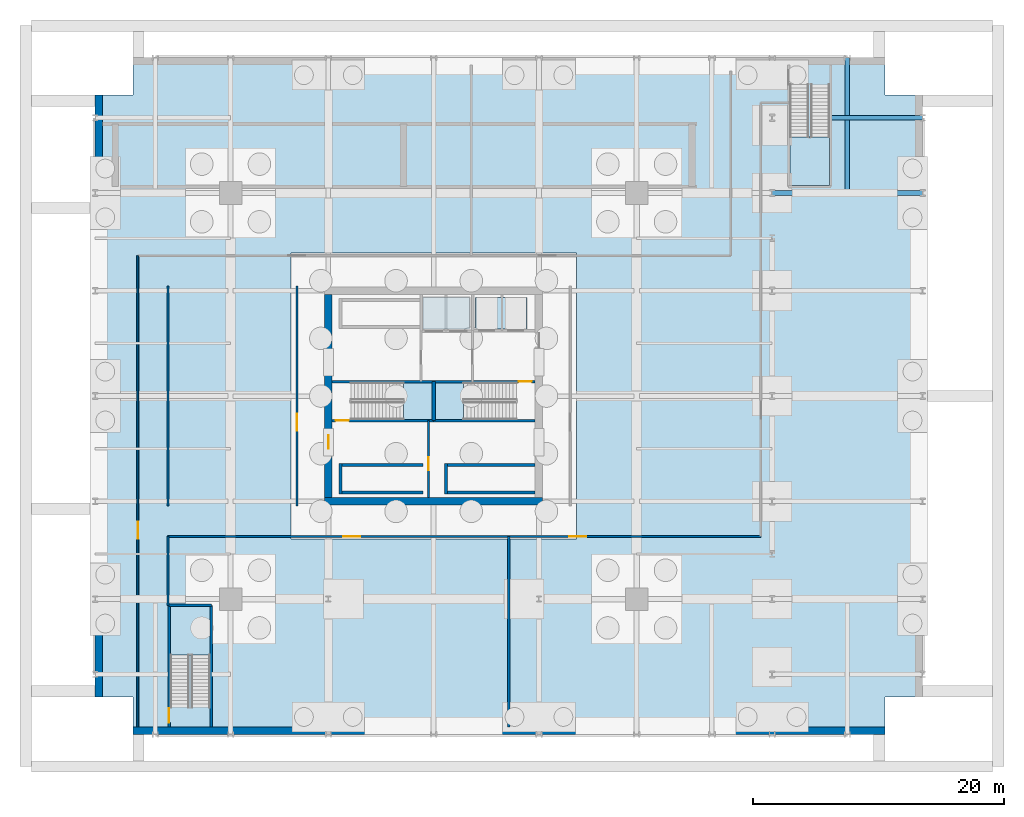
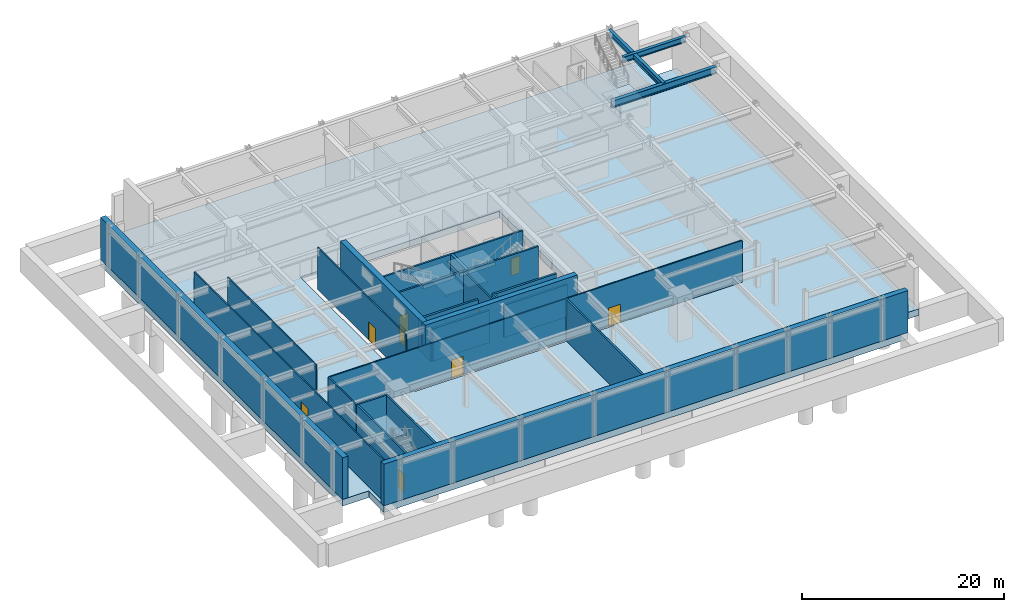
# One storey, part 3 of 9: 25 walls, 9 doors, 7 slabs, 3 beams, 9 openings, 4 elements without a shape of their own.
"""IFC4 building model written with IfcOpenShell, lengths in metres."""

from ifc_helpers import new_model, si_unit, direction, frame, frame_2d, origin, origin_2d, place, context, subcontext, project, spatial, polyline, rectangle, i_section, outline, extrude, material, layer, layer_set, material_profile, profile_set, type_object, element, fill, aggregate, save


model = new_model("IFC4")

# Units and contexts
model_context = context("Model", 3, precision=1e-05, world=origin(), true_north=direction((0.0, 1.0)))
body_context = subcontext(model_context, "Body", "Model", "MODEL_VIEW")
ifc_project = project(units=[si_unit("LENGTHUNIT", "METRE"), si_unit("AREAUNIT", "SQUARE_METRE"), si_unit("VOLUMEUNIT", "CUBIC_METRE"), si_unit("PLANEANGLEUNIT", "RADIAN"), si_unit("MASSUNIT", "GRAM", prefix="KILO")], contexts=[model_context])

# Site, building, storey
site_placement = place(None, origin())
site = spatial("IfcSite", under=ifc_project, at=site_placement, CompositionType="ELEMENT")
building_placement = place(site_placement, origin())
building = spatial("IfcBuilding", under=site, at=building_placement, Name="Drelvath Grand Hotel", CompositionType="ELEMENT")
storey_placement = place(building_placement, frame((0.0, 0.0, -10.800048828125)))
storey = spatial("IfcBuildingStorey", under=building, at=storey_placement, Name="B2", CompositionType="ELEMENT", Elevation=-10.800048828125)

# Beams
ifc_material_1 = material(Name="Steel ASTM A992 Gr 50", Category="steel")
ifc_material_profile_1 = material_profile(ifc_material_1, i_section(OverallWidth=0.354736328125, OverallDepth=0.695556640625, WebThickness=0.015380859375, FlangeThickness=0.025146484375, FilletRadius=0.02392578125, at=origin_2d()), Name="W27X146")
ifc_profile_set_1 = profile_set([ifc_material_profile_1], Name="Steel ASTM A992 Gr 50")
beam_type_1 = type_object("IfcBeamType", Name="Primary Floor Girder W27X146", PredefinedType="BEAM", material=ifc_profile_set_1)
beam_1_placement = place(storey_placement, frame((31.679931640625, 49.199951171875, 4.702392578125), z_axis=(1.0, 0.0, 0.0), x_axis=(0.0, 1.0, 0.0)))
element("IfcBeam", 1, at=beam_1_placement, inside=storey, type_object=beam_type_1, Name="B2 East Corner Tie H", PredefinedType="BEAM", context=body_context, shape_type="SweptSolid", body=[
    extrude(i_section(OverallWidth=0.354736328125, OverallDepth=0.695556640625, WebThickness=0.015380859375, FlangeThickness=0.025146484375, FilletRadius=0.02392578125, at=origin_2d()), origin(), (0.0, 0.0, 1.0), 7.320068359375),
])
beam_2_placement = place(storey_placement, frame((33.0, 43.199951171875, 4.702392578125), z_axis=(0.0, 1.0, 0.0), x_axis=(-1.0, 0.0, 0.0)))
element("IfcBeam", 2, at=beam_2_placement, inside=storey, type_object=beam_type_1, Name="B2 North Corner Tie 10", PredefinedType="BEAM", context=body_context, shape_type="SweptSolid", body=[
    extrude(i_section(OverallWidth=0.354736328125, OverallDepth=0.695556640625, WebThickness=0.015380859375, FlangeThickness=0.025146484375, FilletRadius=0.02392578125, at=origin_2d()), origin(), (0.0, 0.0, 1.0), 10.800048828125),
])
ifc_material_profile_2 = material_profile(ifc_material_1, i_section(OverallWidth=0.39990234375, OverallDepth=0.85546875, WebThickness=0.018310546875, FlangeThickness=0.029296875, FilletRadius=0.02490234375, at=origin_2d()), Name="W33X201")
ifc_profile_set_2 = profile_set([ifc_material_profile_2], Name="Steel ASTM A992 Gr 50")
beam_type_2 = type_object("IfcBeamType", Name="Primary Floor Girder W33X201", PredefinedType="BEAM", material=ifc_profile_set_2)
beam_3_placement = place(storey_placement, frame((27.0, 43.199951171875, 4.622314453125), z_axis=(1.0, 0.0, 0.0), x_axis=(0.0, 1.0, 0.0)))
element("IfcBeam", 3, at=beam_3_placement, inside=storey, type_object=beam_type_2, Name="B2 East Podium Girder 2 G", PredefinedType="BEAM", context=body_context, shape_type="SweptSolid", body=[
    extrude(i_section(OverallWidth=0.39990234375, OverallDepth=0.85546875, WebThickness=0.018310546875, FlangeThickness=0.029296875, FilletRadius=0.02490234375, at=origin_2d()), origin(), (0.0, 0.0, 1.0), 12.0),
])

# Stair, slab
ifc_material_2 = material(Name="Concrete C40/50", Category="concrete")
stair_type_1 = type_object("IfcStairType", Name="Dogleg Exit Stair W1400-R168.8", PredefinedType="HALF_TURN_STAIR", material=ifc_material_2)
stair_1_placement = place(storey_placement, origin())
stair_1 = element("IfcStair", 4, at=stair_1_placement, inside=storey, type_object=stair_type_1, Name="B2 Core Exit Stair ST-1", PredefinedType="HALF_TURN_STAIR")
ifc_layer_1 = layer(ifc_material_2, 0.199951171875)
ifc_layer_set_1 = layer_set([ifc_layer_1], Name="Concrete C40/50")
slab_type_1 = type_object("IfcSlabType", Name="Concrete Stair Landing Slab 200", PredefinedType="LANDING", material=ifc_layer_set_1)
slab_1_placement = place(storey_placement, frame((0.0, 0.0, 2.5)))
slab_1 = element("IfcSlab", 5, at=slab_1_placement, type_object=slab_type_1, Name="ST-1 landing 1", PredefinedType="LANDING", context=body_context, shape_type="SweptSolid", body=[
    extrude(outline(polyline([(-2.39990234375, 25.1201171875), (-0.14990234375, 25.1201171875), (-0.14990234375, 28.080078125), (-2.39990234375, 28.080078125), (-2.39990234375, 25.1201171875)])), origin(), (0.0, 0.0, 1.0), 0.199951171875),
])
aggregate(stair_1, [slab_1])

stair_2_placement = place(storey_placement, origin())
stair_2 = element("IfcStair", 6, at=stair_2_placement, inside=storey, type_object=stair_type_1, Name="B2 Core Exit Stair ST-2", PredefinedType="HALF_TURN_STAIR")
slab_2_placement = place(storey_placement, frame((0.0, 0.0, 2.5)))
slab_2 = element("IfcSlab", 7, at=slab_2_placement, type_object=slab_type_1, Name="ST-2 landing 1", PredefinedType="LANDING", context=body_context, shape_type="SweptSolid", body=[
    extrude(outline(polyline([(2.39990234375, 28.080078125), (0.14990234375, 28.080078125), (0.14990234375, 25.1201171875), (2.39990234375, 25.1201171875), (2.39990234375, 28.080078125)])), origin(), (0.0, 0.0, 1.0), 0.199951171875),
])
aggregate(stair_2, [slab_2])

stair_type_2 = type_object("IfcStairType", Name="Dogleg Exit Stair W1500-R168.8", PredefinedType="HALF_TURN_STAIR", material=ifc_material_2)
stair_3_placement = place(storey_placement, origin())
stair_3 = element("IfcStair", 8, at=stair_3_placement, inside=storey, type_object=stair_type_2, Name="B2 Podium Exit Stair ST-3", PredefinedType="HALF_TURN_STAIR")
slab_3_placement = place(storey_placement, frame((0.0, 0.0, 2.5)))
slab_3 = element("IfcSlab", 9, at=slab_3_placement, type_object=slab_type_1, Name="ST-3 landing 1", PredefinedType="LANDING", context=body_context, shape_type="SweptSolid", body=[
    extrude(outline(polyline([(-17.840087890625, 6.35009765625), (-17.840087890625, 10.199951171875), (-21.0, 10.199951171875), (-21.0, 6.35009765625), (-17.840087890625, 6.35009765625)])), origin(), (0.0, 0.0, 1.0), 0.199951171875),
])
aggregate(stair_3, [slab_3])

stair_4_placement = place(storey_placement, origin())
stair_4 = element("IfcStair", 10, at=stair_4_placement, inside=storey, type_object=stair_type_2, Name="B2 Podium Exit Stair ST-4", PredefinedType="HALF_TURN_STAIR")
slab_4_placement = place(storey_placement, frame((0.0, 0.0, 2.5)))
slab_4 = element("IfcSlab", 11, at=slab_4_placement, type_object=slab_type_1, Name="ST-4 landing 1", PredefinedType="LANDING", context=body_context, shape_type="SweptSolid", body=[
    extrude(outline(polyline([(28.419921875, 47.64990234375), (28.419921875, 43.800048828125), (31.580078125, 43.800048828125), (31.580078125, 47.64990234375), (28.419921875, 47.64990234375)])), origin(), (0.0, 0.0, 1.0), 0.199951171875),
])
aggregate(stair_4, [slab_4])

# Slabs
ifc_material_3 = material(Name="Concrete f'c 70 MPa", Category="concrete")
ifc_layer_2 = layer(ifc_material_3, 0.800048828125)
ifc_layer_set_2 = layer_set([ifc_layer_2], Name="Concrete f'c 70 MPa")
slab_type_2 = type_object("IfcSlabType", Name="Hydrostatic Basement Mat Slab 800", PredefinedType="BASESLAB", material=ifc_layer_set_2)
slab_5_placement = place(storey_placement, frame((0.0, 0.0, -0.800048828125)))
element("IfcSlab", 12, at=slab_5_placement, inside=storey, type_object=slab_type_2, Name="B2 Waterproofed Hydrostatic Basement Slab", PredefinedType="BASESLAB", context=body_context, shape_type="SweptSolid", body=[
    extrude(outline(polyline([(-24.0, 0.0), (36.0, 0.0), (36.0, 3.0), (39.0, 3.0), (39.0, 51.0), (36.0, 51.0), (36.0, 54.0), (-24.0, 54.0), (-24.0, 51.0), (-27.0, 51.0), (-27.0, 3.0), (-24.0, 3.0), (-24.0, 0.0)]), holes=[polyline([(-11.39990234375, 15.60009765625), (-11.39990234375, 38.39990234375), (11.39990234375, 38.39990234375), (11.39990234375, 15.60009765625), (-11.39990234375, 15.60009765625)])]), origin(), (0.0, 0.0, 1.0), 0.800048828125),
])
ifc_layer_3 = layer(ifc_material_3, 0.449951171875)
ifc_layer_set_3 = layer_set([ifc_layer_3], Name="Concrete f'c 70 MPa")
slab_type_3 = type_object("IfcSlabType", Name="Lift Pit Base Slab 450", PredefinedType="BASESLAB", material=ifc_layer_set_3)
slab_6_placement = place(storey_placement, frame((0.0, 0.0, -1.5)))
element("IfcSlab", 13, at=slab_6_placement, inside=storey, type_object=slab_type_3, Name="Elevator Pit Slab PIT-B2-SV", PredefinedType="BASESLAB", context=body_context, shape_type="SweptSolid", body=[
    extrude(outline(polyline([(-0.85009765625, 32.35009765625), (2.85009765625, 32.35009765625), (2.85009765625, 34.85009765625), (-0.85009765625, 34.85009765625), (-0.85009765625, 32.35009765625)])), origin(), (0.0, 0.0, 1.0), 0.449951171875),
])
slab_7_placement = place(storey_placement, frame((0.0, 0.0, -1.5)))
element("IfcSlab", 14, at=slab_7_placement, inside=storey, type_object=slab_type_3, Name="Elevator Pit Slab PIT-B2-FSAE", PredefinedType="BASESLAB", context=body_context, shape_type="SweptSolid", body=[
    extrude(outline(polyline([(3.35009765625, 32.35009765625), (7.449951171875, 32.35009765625), (7.449951171875, 34.85009765625), (3.35009765625, 34.85009765625), (3.35009765625, 32.35009765625)])), origin(), (0.0, 0.0, 1.0), 0.449951171875),
])

# Walls
ifc_material_4 = material(Name="Concrete f'c 55 MPa", Category="concrete")
ifc_layer_4 = layer(ifc_material_4, 0.60009765625)
ifc_layer_set_4 = layer_set([ifc_layer_4], Name="Concrete f'c 55 MPa")
wall_type_1 = type_object("IfcWallType", Name="Basement Perimeter Retaining Wall 600", PredefinedType="USERDEFINED", material=ifc_layer_set_4)
for number, where, z_axis, x_axis, name in (
    (15, (-7.550048828125, 19.320068359375, 0.0), (0.0, 0.0, 1.0), (1.0, 0.0, 0.0), "B2 Elevator Pit Support Wall PIT-B1-PE13-S"),
    (16, (-7.550048828125, 21.47998046875, 0.0), (0.0, 0.0, 1.0), (1.0, 0.0, 0.0), "B2 Elevator Pit Support Wall PIT-B1-PE13-N"),
):
    element("IfcWall", number, at=place(storey_placement, frame(where, z_axis=z_axis, x_axis=x_axis)), inside=storey, type_object=wall_type_1, Name=name, ObjectType="RETAININGWALL", PredefinedType="USERDEFINED", context=body_context, shape_type="SweptSolid", body=[
        extrude(rectangle(XDim=6.699951171875, YDim=0.239990234375, at=frame_2d((3.35009765625, 0.0))), origin(), (0.0, 0.0, 1.0), 3.920166015625),
    ])
wall_1_placement = place(storey_placement, frame((-7.429931640625, 19.199951171875, 0.0), z_axis=(0.0, 0.0, 1.0), x_axis=(0.0, 1.0, 0.0)))
element("IfcWall", 17, at=wall_1_placement, inside=storey, type_object=wall_type_1, Name="B2 Elevator Pit Support Wall PIT-B1-PE13-W", ObjectType="RETAININGWALL", PredefinedType="USERDEFINED", context=body_context, shape_type="SweptSolid", body=[
    extrude(rectangle(XDim=2.400146484375, YDim=0.239990234375, at=frame_2d((1.2001953125, 0.0))), origin(), (0.0, 0.0, 1.0), 3.920166015625),
])
for number, where, z_axis, x_axis, name in (
    (18, (0.85009765625, 19.320068359375, 0.0), (0.0, 0.0, 1.0), (1.0, 0.0, 0.0), "B2 Elevator Pit Support Wall PIT-B1-PE46-S"),
    (19, (0.85009765625, 21.47998046875, 0.0), (0.0, 0.0, 1.0), (1.0, 0.0, 0.0), "B2 Elevator Pit Support Wall PIT-B1-PE46-N"),
):
    element("IfcWall", number, at=place(storey_placement, frame(where, z_axis=z_axis, x_axis=x_axis)), inside=storey, type_object=wall_type_1, Name=name, ObjectType="RETAININGWALL", PredefinedType="USERDEFINED", context=body_context, shape_type="SweptSolid", body=[
        extrude(rectangle(XDim=7.25, YDim=0.239990234375, at=frame_2d((3.625, 0.0))), origin(), (0.0, 0.0, 1.0), 3.920166015625),
    ])
wall_2_placement = place(storey_placement, frame((0.969970703125, 19.199951171875, 0.0), z_axis=(0.0, 0.0, 1.0), x_axis=(0.0, 1.0, 0.0)))
element("IfcWall", 20, at=wall_2_placement, inside=storey, type_object=wall_type_1, Name="B2 Elevator Pit Support Wall PIT-B1-PE46-W", ObjectType="RETAININGWALL", PredefinedType="USERDEFINED", context=body_context, shape_type="SweptSolid", body=[
    extrude(rectangle(XDim=2.400146484375, YDim=0.239990234375, at=frame_2d((1.2001953125, 0.0))), origin(), (0.0, 0.0, 1.0), 3.920166015625),
])
wall_3_placement = place(storey_placement, frame((36.0, 0.300048828125, 0.0), z_axis=(0.0, 0.0, 1.0), x_axis=(-1.0, 0.0, 0.0)))
element("IfcWall", 21, at=wall_3_placement, inside=storey, type_object=wall_type_1, Name="B2 Perimeter Retaining Wall S", ObjectType="RETAININGWALL", PredefinedType="USERDEFINED", context=body_context, shape_type="SweptSolid", body=[
    extrude(rectangle(XDim=60.0, YDim=0.60009765625, at=frame_2d((30.0, 0.0))), origin(), (0.0, 0.0, 1.0), 5.050048828125),
])
wall_4_placement = place(storey_placement, frame((-26.699951171875, 3.0, 0.0), z_axis=(0.0, 0.0, 1.0), x_axis=(0.0, 1.0, 0.0)))
element("IfcWall", 22, at=wall_4_placement, inside=storey, type_object=wall_type_1, Name="B2 Perimeter Retaining Wall W", ObjectType="RETAININGWALL", PredefinedType="USERDEFINED", context=body_context, shape_type="SweptSolid", body=[
    extrude(rectangle(XDim=48.0, YDim=0.60009765625, at=frame_2d((24.0, 0.0))), origin(), (0.0, 0.0, 1.0), 5.050048828125),
])

# Wall, opening, door
ifc_layer_5 = layer(ifc_material_2, 0.199951171875)
ifc_layer_set_5 = layer_set([ifc_layer_5], Name="Concrete C40/50")
wall_type_2 = type_object("IfcWallType", Name="Core Shaft Fire Wall 200", PredefinedType="SOLIDWALL", material=ifc_layer_set_5)
wall_5_placement = place(storey_placement, frame((-8.10009765625, 25.0400390625, 0.0), z_axis=(0.0, 0.0, 1.0), x_axis=(1.0, 0.0, 0.0)))
wall_5 = element("IfcWall", 23, at=wall_5_placement, inside=storey, type_object=wall_type_2, Name="B2 Stair ST-1 South Wall", PredefinedType="SOLIDWALL", context=body_context, shape_type="SweptSolid", body=[
    extrude(rectangle(XDim=8.10009765625, YDim=0.199951171875, at=frame_2d((4.050048828125, 0.0))), origin(), (0.0, 0.0, 1.0), 5.050048828125),
])
opening_1_placement = place(wall_5_placement, frame((0.280029296875, 0.0, 0.0)))
opening_1 = element("IfcOpeningElement", 24, at=opening_1_placement, cuts=wall_5, Name="Opening D-B2-001", PredefinedType="OPENING", context=body_context, shape_type="SweptSolid", body=[
    extrude(rectangle(XDim=1.050048828125, YDim=2.10009765625, at=frame_2d((0.52490234375, 1.050048828125))), frame((0.0, 0.10986328125, 0.0), z_axis=(0.0, -1.0, 0.0), x_axis=(1.0, 0.0, 0.0)), (0.0, 0.0, 1.0), 0.219970703125),
])
ifc_material_5 = material(Name="Painted Steel S275", Category="steel")
door_type_1 = type_object("IfcDoorType", Name="Tower Stairwell Fire Door 1050x2100", OperationType="NOTDEFINED", PredefinedType="DOOR", material=ifc_material_5)
door_1_placement = place(opening_1_placement, origin())
door_1 = element("IfcDoor", 25, at=door_1_placement, inside=storey, type_object=door_type_1, Name="B2 Exit Stair ST-1 Door", OperationType="SINGLE_SWING_LEFT", OverallHeight=2.10009765625, OverallWidth=1.050048828125, PredefinedType="DOOR", context=body_context, shape_type="SweptSolid", body=[
    extrude(rectangle(XDim=1.050048828125, YDim=2.10009765625, at=frame_2d((0.52490234375, 1.050048828125))), frame((0.0, 0.02490234375, 0.0), z_axis=(0.0, -1.0, 0.0), x_axis=(1.0, 0.0, 0.0)), (0.0, 0.0, 1.0), 0.050048828125),
])
fill(opening_1, door_1)

# Walls
for number, where, z_axis, x_axis, name in (
    (26, (-8.10009765625, 28.159912109375, 0.0), (0.0, 0.0, 1.0), (1.0, 0.0, 0.0), "B2 Stair ST-1 North Wall"),
    (27, (0.0, 25.0400390625, 0.0), (0.0, 0.0, 1.0), (1.0, 0.0, 0.0), "B2 Stair ST-2 South Wall"),
):
    element("IfcWall", number, at=place(storey_placement, frame(where, z_axis=z_axis, x_axis=x_axis)), inside=storey, type_object=wall_type_2, Name=name, PredefinedType="SOLIDWALL", context=body_context, shape_type="SweptSolid", body=[
        extrude(rectangle(XDim=8.10009765625, YDim=0.199951171875, at=frame_2d((4.050048828125, 0.0))), origin(), (0.0, 0.0, 1.0), 5.050048828125),
    ])

# Wall, opening, door
wall_6_placement = place(storey_placement, frame((8.10009765625, 28.159912109375, 0.0), z_axis=(0.0, 0.0, 1.0), x_axis=(-1.0, 0.0, 0.0)))
wall_6 = element("IfcWall", 28, at=wall_6_placement, inside=storey, type_object=wall_type_2, Name="B2 Stair ST-2 North Wall", PredefinedType="SOLIDWALL", context=body_context, shape_type="SweptSolid", body=[
    extrude(rectangle(XDim=8.10009765625, YDim=0.199951171875, at=frame_2d((4.050048828125, 0.0))), origin(), (0.0, 0.0, 1.0), 5.050048828125),
])
opening_2_placement = place(wall_6_placement, frame((0.280029296875, 0.0, 0.0)))
opening_2 = element("IfcOpeningElement", 29, at=opening_2_placement, cuts=wall_6, Name="Opening D-B2-002", PredefinedType="OPENING", context=body_context, shape_type="SweptSolid", body=[
    extrude(rectangle(XDim=1.050048828125, YDim=2.10009765625, at=frame_2d((0.52490234375, 1.050048828125))), frame((0.0, 0.10986328125, 0.0), z_axis=(0.0, -1.0, 0.0), x_axis=(1.0, 0.0, 0.0)), (0.0, 0.0, 1.0), 0.219970703125),
])
door_2_placement = place(opening_2_placement, origin())
door_2 = element("IfcDoor", 30, at=door_2_placement, inside=storey, type_object=door_type_1, Name="B2 Exit Stair ST-2 Door", OperationType="SINGLE_SWING_LEFT", OverallHeight=2.10009765625, OverallWidth=1.050048828125, PredefinedType="DOOR", context=body_context, shape_type="SweptSolid", body=[
    extrude(rectangle(XDim=1.050048828125, YDim=2.10009765625, at=frame_2d((0.52490234375, 1.050048828125))), frame((0.0, 0.02490234375, 0.0), z_axis=(0.0, -1.0, 0.0), x_axis=(1.0, 0.0, 0.0)), (0.0, 0.0, 1.0), 0.050048828125),
])
fill(opening_2, door_2)

wall_7_placement = place(storey_placement, frame((-21.10009765625, 0.60009765625, 0.0), z_axis=(0.0, 0.0, 1.0), x_axis=(0.0, 1.0, 0.0)))
wall_7 = element("IfcWall", 31, at=wall_7_placement, inside=storey, type_object=wall_type_2, Name="B2 Stair ST-3 West Wall", PredefinedType="SOLIDWALL", context=body_context, shape_type="SweptSolid", body=[
    extrude(rectangle(XDim=9.699951171875, YDim=0.199951171875, at=frame_2d((4.85009765625, 0.0))), origin(), (0.0, 0.0, 1.0), 5.050048828125),
])
opening_3_placement = place(wall_7_placement, frame((0.35009765625, 0.0, 0.0)))
opening_3 = element("IfcOpeningElement", 32, at=opening_3_placement, cuts=wall_7, Name="Opening D-B2-012", PredefinedType="OPENING", context=body_context, shape_type="SweptSolid", body=[
    extrude(rectangle(XDim=1.14990234375, YDim=2.14990234375, at=frame_2d((0.574951171875, 1.074951171875))), frame((0.0, 0.10986328125, 0.0), z_axis=(0.0, -1.0, 0.0), x_axis=(1.0, 0.0, 0.0)), (0.0, 0.0, 1.0), 0.219970703125),
])
door_type_2 = type_object("IfcDoorType", Name="Podium Stairwell Fire Door 1150x2150", OperationType="NOTDEFINED", PredefinedType="DOOR", material=ifc_material_5)
door_3_placement = place(opening_3_placement, origin())
door_3 = element("IfcDoor", 33, at=door_3_placement, inside=storey, type_object=door_type_2, Name="B2 Exit Stair ST-3 Entry Door", OperationType="SINGLE_SWING_LEFT", OverallHeight=2.14990234375, OverallWidth=1.14990234375, PredefinedType="DOOR", context=body_context, shape_type="SweptSolid", body=[
    extrude(rectangle(XDim=1.14990234375, YDim=2.14990234375, at=frame_2d((0.574951171875, 1.074951171875))), frame((0.0, 0.02490234375, 0.0), z_axis=(0.0, -1.0, 0.0), x_axis=(1.0, 0.0, 0.0)), (0.0, 0.0, 1.0), 0.050048828125),
])
fill(opening_3, door_3)

# Walls
wall_8_placement = place(storey_placement, frame((-17.739990234375, 10.300048828125, 0.0), z_axis=(0.0, 0.0, 1.0), x_axis=(0.0, -1.0, 0.0)))
element("IfcWall", 34, at=wall_8_placement, inside=storey, type_object=wall_type_2, Name="B2 Stair ST-3 East Wall", PredefinedType="SOLIDWALL", context=body_context, shape_type="SweptSolid", body=[
    extrude(rectangle(XDim=9.699951171875, YDim=0.199951171875, at=frame_2d((4.85009765625, 0.0))), origin(), (0.0, 0.0, 1.0), 5.050048828125),
])
wall_9_placement = place(storey_placement, frame((-17.739990234375, 10.300048828125, 0.0), z_axis=(0.0, 0.0, 1.0), x_axis=(-1.0, 0.0, 0.0)))
element("IfcWall", 35, at=wall_9_placement, inside=storey, type_object=wall_type_2, Name="B2 Stair ST-3 North Wall", PredefinedType="SOLIDWALL", context=body_context, shape_type="SweptSolid", body=[
    extrude(rectangle(XDim=3.360107421875, YDim=0.199951171875, at=frame_2d((1.68017578125, 0.0))), origin(), (0.0, 0.0, 1.0), 5.050048828125),
])
wall_10_placement = place(storey_placement, frame((6.0, 0.60009765625, 0.0), z_axis=(0.0, 0.0, 1.0), x_axis=(0.0, 1.0, 0.0)))
element("IfcWall", 36, at=wall_10_placement, inside=storey, type_object=wall_type_2, Name="B2 B2 South Plant Divider", PredefinedType="SOLIDWALL", context=body_context, shape_type="SweptSolid", body=[
    extrude(rectangle(XDim=15.199951171875, YDim=0.199951171875, at=frame_2d((7.60009765625, 0.0))), origin(), (0.0, 0.0, 1.0), 5.050048828125),
])
ifc_layer_6 = layer(ifc_material_2, 0.300048828125)
ifc_layer_set_6 = layer_set([ifc_layer_6], Name="Concrete C40/50")
wall_type_3 = type_object("IfcWallType", Name="Core Shaft Fire Wall 300", PredefinedType="SOLIDWALL", material=ifc_layer_set_6)
wall_11_placement = place(storey_placement, frame((0.0, 25.0400390625, 0.0), z_axis=(0.0, 0.0, 1.0), x_axis=(0.0, 1.0, 0.0)))
element("IfcWall", 37, at=wall_11_placement, inside=storey, type_object=wall_type_3, Name="B2 Core Stair Divider Wall", PredefinedType="SOLIDWALL", context=body_context, shape_type="SweptSolid", body=[
    extrude(rectangle(XDim=3.119873046875, YDim=0.300048828125, at=frame_2d((1.56005859375, 0.0))), origin(), (0.0, 0.0, 1.0), 5.050048828125),
])

# Wall, openings, doors
ifc_material_6 = material(Name="Gypsum Fireboard Partition")
ifc_layer_7 = layer(ifc_material_6, 0.135009765625)
ifc_layer_set_7 = layer_set([ifc_layer_7], Name="Gypsum Fireboard Partition")
wall_type_4 = type_object("IfcWallType", Name="Corridor Fire Barrier Wall 135", PredefinedType="PARTITIONING", material=ifc_layer_set_7)
wall_12_placement = place(storey_placement, frame((-21.199951171875, 15.800048828125, 0.0), z_axis=(0.0, 0.0, 1.0), x_axis=(1.0, 0.0, 0.0)))
wall_12 = element("IfcWall", 38, at=wall_12_placement, inside=storey, type_object=wall_type_4, Name="B2 B2 South Plant Corridor Wall", PredefinedType="PARTITIONING", context=body_context, shape_type="SweptSolid", body=[
    extrude(rectangle(XDim=47.300048828125, YDim=0.135009765625, at=frame_2d((23.64990234375, 0.0))), origin(), (0.0, 0.0, 1.0), 5.050048828125),
])
opening_4_placement = place(wall_12_placement, frame((14.0, 0.0, 0.0)))
opening_4 = element("IfcOpeningElement", 39, at=opening_4_placement, cuts=wall_12, Name="Opening D-B2-014", PredefinedType="OPENING", context=body_context, shape_type="SweptSolid", body=[
    extrude(rectangle(XDim=1.360107421875, YDim=2.199951171875, at=frame_2d((0.68017578125, 1.10009765625))), frame((0.0, 0.077392578125, 0.0), z_axis=(0.0, -1.0, 0.0), x_axis=(1.0, 0.0, 0.0)), (0.0, 0.0, 1.0), 0.155029296875),
])
opening_5_placement = place(wall_12_placement, frame((32.0, 0.0, 0.0)))
opening_5 = element("IfcOpeningElement", 40, at=opening_5_placement, cuts=wall_12, Name="Opening D-B2-015", PredefinedType="OPENING", context=body_context, shape_type="SweptSolid", body=[
    extrude(rectangle(XDim=1.360107421875, YDim=2.199951171875, at=frame_2d((0.68017578125, 1.10009765625))), frame((0.0, 0.077392578125, 0.0), z_axis=(0.0, -1.0, 0.0), x_axis=(1.0, 0.0, 0.0)), (0.0, 0.0, 1.0), 0.155029296875),
])
door_type_3 = type_object("IfcDoorType", Name="Plant Equipment Double Fire Door 1360x2200", OperationType="NOTDEFINED", PredefinedType="DOOR", material=ifc_material_5)
door_4_placement = place(opening_4_placement, origin())
door_4 = element("IfcDoor", 41, at=door_4_placement, inside=storey, type_object=door_type_3, Name="B2 Chiller Plant Door", OperationType="SINGLE_SWING_RIGHT", OverallHeight=2.199951171875, OverallWidth=1.360107421875, PredefinedType="DOOR", context=body_context, shape_type="SweptSolid", body=[
    extrude(rectangle(XDim=1.360107421875, YDim=2.199951171875, at=frame_2d((0.68017578125, 1.10009765625))), frame((0.0, 0.02490234375, 0.0), z_axis=(0.0, -1.0, 0.0), x_axis=(1.0, 0.0, 0.0)), (0.0, 0.0, 1.0), 0.050048828125),
])
fill(opening_4, door_4)
door_5_placement = place(opening_5_placement, origin())
door_5 = element("IfcDoor", 42, at=door_5_placement, inside=storey, type_object=door_type_3, Name="B2 Boiler Plant Door", OperationType="SINGLE_SWING_LEFT", OverallHeight=2.199951171875, OverallWidth=1.360107421875, PredefinedType="DOOR", context=body_context, shape_type="SweptSolid", body=[
    extrude(rectangle(XDim=1.360107421875, YDim=2.199951171875, at=frame_2d((0.68017578125, 1.10009765625))), frame((0.0, 0.02490234375, 0.0), z_axis=(0.0, -1.0, 0.0), x_axis=(1.0, 0.0, 0.0)), (0.0, 0.0, 1.0), 0.050048828125),
])
fill(opening_5, door_5)

# Wall, opening, door
wall_13_placement = place(storey_placement, frame((-10.89990234375, 18.239990234375, 0.0), z_axis=(0.0, 0.0, 1.0), x_axis=(0.0, 1.0, 0.0)))
wall_13 = element("IfcWall", 43, at=wall_13_placement, inside=storey, type_object=wall_type_4, Name="B2 B2 West Plant Corridor Wall", PredefinedType="PARTITIONING", context=body_context, shape_type="SweptSolid", body=[
    extrude(rectangle(XDim=17.52001953125, YDim=0.135009765625, at=frame_2d((8.760009765625, 0.0))), origin(), (0.0, 0.0, 1.0), 5.050048828125),
])
opening_6_placement = place(wall_13_placement, frame((6.0, 0.0, 0.0)))
opening_6 = element("IfcOpeningElement", 44, at=opening_6_placement, cuts=wall_13, Name="Opening D-B2-018", PredefinedType="OPENING", context=body_context, shape_type="SweptSolid", body=[
    extrude(rectangle(XDim=1.360107421875, YDim=2.199951171875, at=frame_2d((0.68017578125, 1.10009765625))), frame((0.0, 0.077392578125, 0.0), z_axis=(0.0, -1.0, 0.0), x_axis=(1.0, 0.0, 0.0)), (0.0, 0.0, 1.0), 0.155029296875),
])
door_6_placement = place(opening_6_placement, origin())
door_6 = element("IfcDoor", 45, at=door_6_placement, inside=storey, type_object=door_type_3, Name="B2 Fire Pump Room Door", OperationType="SINGLE_SWING_RIGHT", OverallHeight=2.199951171875, OverallWidth=1.360107421875, PredefinedType="DOOR", context=body_context, shape_type="SweptSolid", body=[
    extrude(rectangle(XDim=1.360107421875, YDim=2.199951171875, at=frame_2d((0.68017578125, 1.10009765625))), frame((0.0, 0.02490234375, 0.0), z_axis=(0.0, -1.0, 0.0), x_axis=(1.0, 0.0, 0.0)), (0.0, 0.0, 1.0), 0.050048828125),
])
fill(opening_6, door_6)

# Walls
wall_14_placement = place(storey_placement, frame((-21.199951171875, 10.300048828125, 0.0), z_axis=(0.0, 0.0, 1.0), x_axis=(0.0, 1.0, 0.0)))
element("IfcWall", 46, at=wall_14_placement, inside=storey, type_object=wall_type_4, Name="B2 B2 ST-3 Spur South-East Wall", PredefinedType="PARTITIONING", context=body_context, shape_type="SweptSolid", body=[
    extrude(rectangle(XDim=5.5, YDim=0.135009765625, at=frame_2d((2.75, 0.0))), origin(), (0.0, 0.0, 1.0), 5.050048828125),
])
wall_15_placement = place(storey_placement, frame((-21.199951171875, 18.239990234375, 0.0), z_axis=(0.0, 0.0, 1.0), x_axis=(0.0, 1.0, 0.0)))
element("IfcWall", 47, at=wall_15_placement, inside=storey, type_object=wall_type_4, Name="B2 B2 ST-3 Spur North-East Wall", PredefinedType="PARTITIONING", context=body_context, shape_type="SweptSolid", body=[
    extrude(rectangle(XDim=17.52001953125, YDim=0.135009765625, at=frame_2d((8.760009765625, 0.0))), origin(), (0.0, 0.0, 1.0), 5.050048828125),
])

# Wall, opening, door
wall_16_placement = place(storey_placement, frame((-23.60009765625, 0.60009765625, 0.0), z_axis=(0.0, 0.0, 1.0), x_axis=(0.0, 1.0, 0.0)))
wall_16 = element("IfcWall", 48, at=wall_16_placement, inside=storey, type_object=wall_type_4, Name="B2 B2 ST-3 Spur West Wall", PredefinedType="PARTITIONING", context=body_context, shape_type="SweptSolid", body=[
    extrude(rectangle(XDim=37.599853515625, YDim=0.135009765625, at=frame_2d((18.7998046875, 0.0))), origin(), (0.0, 0.0, 1.0), 5.050048828125),
])
opening_7_placement = place(wall_16_placement, frame((15.0, 0.0, 0.0)))
opening_7 = element("IfcOpeningElement", 49, at=opening_7_placement, cuts=wall_16, Name="Opening D-B2-020", PredefinedType="OPENING", context=body_context, shape_type="SweptSolid", body=[
    extrude(rectangle(XDim=1.360107421875, YDim=2.199951171875, at=frame_2d((0.68017578125, 1.10009765625))), frame((0.0, 0.077392578125, 0.0), z_axis=(0.0, -1.0, 0.0), x_axis=(1.0, 0.0, 0.0)), (0.0, 0.0, 1.0), 0.155029296875),
])
door_7_placement = place(opening_7_placement, origin())
door_7 = element("IfcDoor", 50, at=door_7_placement, inside=storey, type_object=door_type_3, Name="B2 Generator Room Door", OperationType="SINGLE_SWING_RIGHT", OverallHeight=2.199951171875, OverallWidth=1.360107421875, PredefinedType="DOOR", context=body_context, shape_type="SweptSolid", body=[
    extrude(rectangle(XDim=1.360107421875, YDim=2.199951171875, at=frame_2d((0.68017578125, 1.10009765625))), frame((0.0, 0.02490234375, 0.0), z_axis=(0.0, -1.0, 0.0), x_axis=(1.0, 0.0, 0.0)), (0.0, 0.0, 1.0), 0.050048828125),
])
fill(opening_7, door_7)

ifc_layer_8 = layer(ifc_material_6, 0.179931640625)
ifc_layer_set_8 = layer_set([ifc_layer_8], Name="Gypsum Fireboard Partition")
wall_type_5 = type_object("IfcWallType", Name="FSAE Smoke Lobby Fire Wall 180", PredefinedType="SOLIDWALL", material=ifc_layer_set_8)
wall_17_placement = place(storey_placement, frame((-0.419921875, 18.89990234375, 0.0), z_axis=(0.0, 0.0, 1.0), x_axis=(0.0, 1.0, 0.0)))
wall_17 = element("IfcWall", 51, at=wall_17_placement, inside=storey, type_object=wall_type_5, Name="B2 Basement Core Split Wall", PredefinedType="SOLIDWALL", context=body_context, shape_type="SweptSolid", body=[
    extrude(rectangle(XDim=6.14013671875, YDim=0.179931640625, at=frame_2d((3.070068359375, 0.0))), origin(), (0.0, 0.0, 1.0), 5.050048828125),
])
opening_8_placement = place(wall_17_placement, frame((2.199951171875, 0.0, 0.0)))
opening_8 = element("IfcOpeningElement", 52, at=opening_8_placement, cuts=wall_17, Name="Opening D-B2-010", PredefinedType="OPENING", context=body_context, shape_type="SweptSolid", body=[
    extrude(rectangle(XDim=1.0, YDim=2.10009765625, at=frame_2d((0.5, 1.050048828125))), frame((0.0, 0.099853515625, 0.0), z_axis=(0.0, -1.0, 0.0), x_axis=(1.0, 0.0, 0.0)), (0.0, 0.0, 1.0), 0.199951171875),
])
door_type_4 = type_object("IfcDoorType", Name="Core Service Fire Door 1000x2100", OperationType="NOTDEFINED", PredefinedType="DOOR", material=ifc_material_5)
door_8_placement = place(opening_8_placement, origin())
door_8 = element("IfcDoor", 53, at=door_8_placement, inside=storey, type_object=door_type_4, Name="B2 Core Pump Room Door", OperationType="SINGLE_SWING_RIGHT", OverallHeight=2.10009765625, OverallWidth=1.0, PredefinedType="DOOR", context=body_context, shape_type="SweptSolid", body=[
    extrude(rectangle(XDim=1.0, YDim=2.10009765625, at=frame_2d((0.5, 1.050048828125))), frame((0.0, 0.02490234375, 0.0), z_axis=(0.0, -1.0, 0.0), x_axis=(1.0, 0.0, 0.0)), (0.0, 0.0, 1.0), 0.050048828125),
])
fill(opening_8, door_8)

# Wall
ifc_layer_9 = layer(ifc_material_3, 0.60009765625)
ifc_layer_set_9 = layer_set([ifc_layer_9], Name="Concrete f'c 70 MPa")
wall_type_6 = type_object("IfcWallType", Name="Lower Core RC Shear Wall 600", PredefinedType="SHEAR", material=ifc_layer_set_9)
wall_18_placement = place(storey_placement, frame((8.699951171875, 18.60009765625, 0.0), z_axis=(0.0, 0.0, 1.0), x_axis=(-1.0, 0.0, 0.0)))
element("IfcWall", 54, at=wall_18_placement, inside=storey, type_object=wall_type_6, Name="B2 Central Core Shear Wall S", PredefinedType="SHEAR", context=body_context, shape_type="SweptSolid", body=[
    extrude(rectangle(XDim=17.39990234375, YDim=0.60009765625, at=frame_2d((8.699951171875, 0.0))), origin(), (0.0, 0.0, 1.0), 5.400146484375),
])

# Wall, opening, door
wall_19_placement = place(storey_placement, frame((-8.39990234375, 18.89990234375, 0.0), z_axis=(0.0, 0.0, 1.0), x_axis=(0.0, 1.0, 0.0)))
wall_19 = element("IfcWall", 55, at=wall_19_placement, inside=storey, type_object=wall_type_6, Name="B2 Central Core Shear Wall W", PredefinedType="SHEAR", context=body_context, shape_type="SweptSolid", body=[
    extrude(rectangle(XDim=16.2001953125, YDim=0.60009765625, at=frame_2d((8.10009765625, 0.0))), origin(), (0.0, 0.0, 1.0), 5.400146484375),
])
opening_9_placement = place(wall_19_placement, frame((3.89990234375, 0.0, 0.0)))
opening_9 = element("IfcOpeningElement", 56, at=opening_9_placement, cuts=wall_19, Name="Opening D-B2-011", PredefinedType="OPENING", context=body_context, shape_type="SweptSolid", body=[
    extrude(rectangle(XDim=1.080078125, YDim=2.0400390625, at=frame_2d((0.5400390625, 1.02001953125))), frame((0.0, 0.31005859375, 0.0), z_axis=(0.0, -1.0, 0.0), x_axis=(1.0, 0.0, 0.0)), (0.0, 0.0, 1.0), 0.6201171875),
])
door_type_5 = type_object("IfcDoorType", Name="Core Corridor Fire Door 1080x2100", OperationType="NOTDEFINED", PredefinedType="DOOR", material=ifc_material_5)
door_9_placement = place(opening_9_placement, origin())
door_9 = element("IfcDoor", 57, at=door_9_placement, inside=storey, type_object=door_type_5, Name="B2 Basement Core West Door", OperationType="SINGLE_SWING_LEFT", OverallHeight=2.0400390625, OverallWidth=1.080078125, PredefinedType="DOOR", context=body_context, shape_type="SweptSolid", body=[
    extrude(rectangle(XDim=1.080078125, YDim=2.0400390625, at=frame_2d((0.5400390625, 1.02001953125))), frame((0.0, 0.02490234375, 0.0), z_axis=(0.0, -1.0, 0.0), x_axis=(1.0, 0.0, 0.0)), (0.0, 0.0, 1.0), 0.050048828125),
])
fill(opening_9, door_9)

save(model, "model.ifc")
